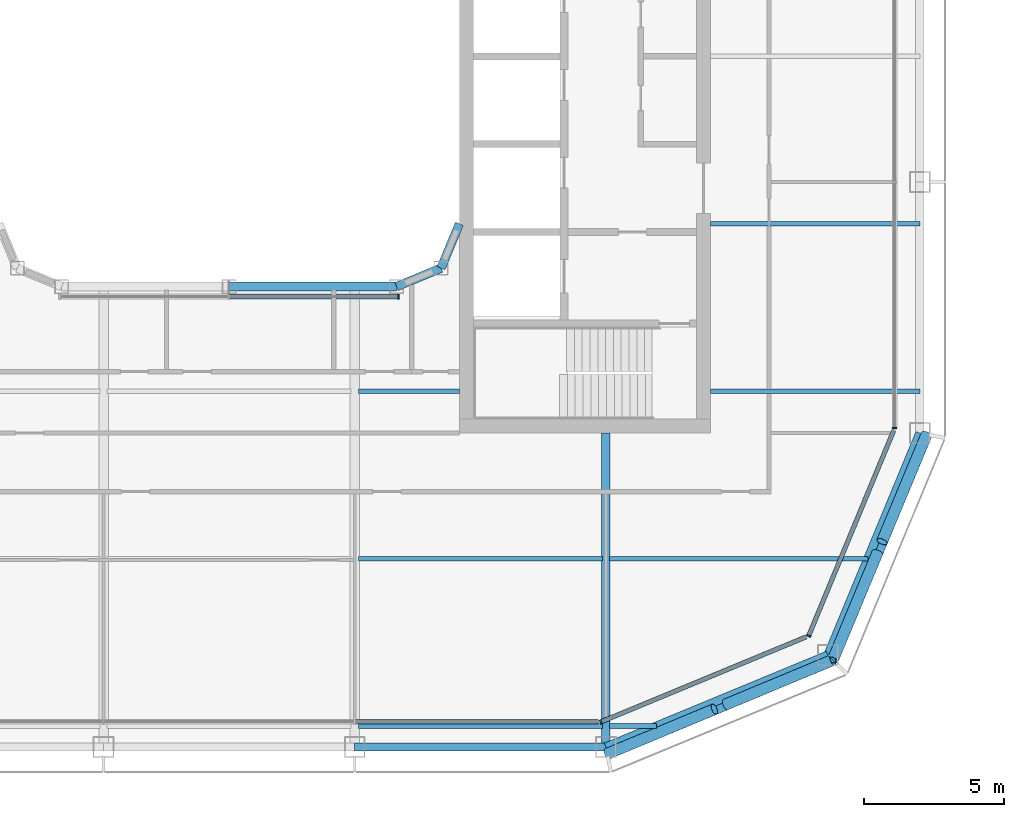
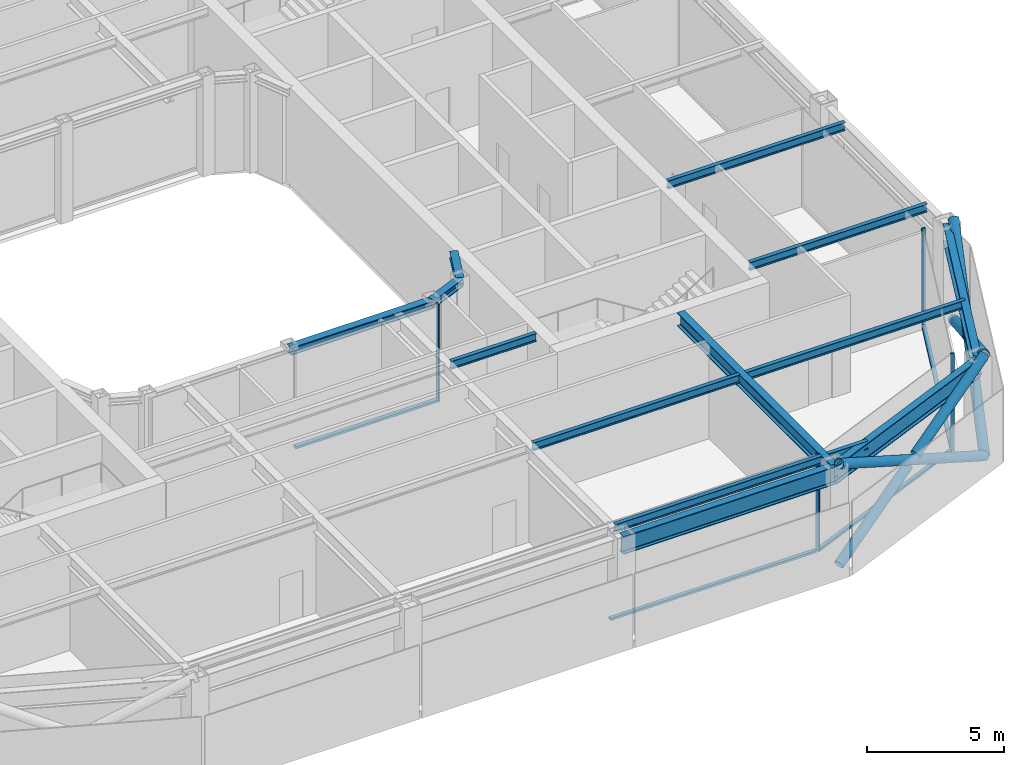
# One storey, part 4 of 20: 14 beams, 14 members, 5 elements without a shape of their own.
"""IFC4 building model written with IfcOpenShell, lengths in metres."""

from ifc_helpers import new_model, si_unit, direction, frame, origin, origin_2d, place, context, subcontext, project, spatial, rectangle, hollow_circle, i_section, extrude, material, layer, layer_set, material_profile, profile_set, type_object, element, aggregate, save


model = new_model("IFC4")

# Units and contexts
model_context = context("Model", 3, precision=1e-05, world=origin(), true_north=direction((0.0, 1.0)))
body_context = subcontext(model_context, "Body", "Model", "MODEL_VIEW")
ifc_project = project(units=[si_unit("LENGTHUNIT", "METRE"), si_unit("AREAUNIT", "SQUARE_METRE"), si_unit("VOLUMEUNIT", "CUBIC_METRE"), si_unit("PLANEANGLEUNIT", "RADIAN"), si_unit("MASSUNIT", "GRAM", prefix="KILO")], contexts=[model_context])

# Site, building, storey
site_placement = place(None, origin())
site = spatial("IfcSite", under=ifc_project, at=site_placement, CompositionType="ELEMENT")
building_placement = place(site_placement, origin())
building = spatial("IfcBuilding", under=site, at=building_placement, Name="Siwar Civic Tower", CompositionType="ELEMENT")
storey_placement = place(building_placement, frame((0.0, 0.0, 307.699951171875)))
storey = spatial("IfcBuildingStorey", under=building, at=storey_placement, Name="L66", CompositionType="ELEMENT", Elevation=307.699951171875)

# Curtain wall, member
ifc_material_1 = material(Name="Aluminium clad insulated panel", Category="aluminium")
ifc_layer_1 = layer(ifc_material_1, 0.159912109375)
ifc_layer_set_1 = layer_set([ifc_layer_1], Name="Aluminium clad insulated panel")
curtain_wall_type_1 = type_object("IfcCurtainWallType", Name="ENV-CW-DX", PredefinedType="NOTDEFINED", material=ifc_layer_set_1)
curtain_wall_1_placement = place(storey_placement, origin())
curtain_wall_1 = element("IfcCurtainWall", 1, at=curtain_wall_1_placement, inside=storey, type_object=curtain_wall_type_1, Name="Curtain wall D SE1", PredefinedType="NOTDEFINED")
ifc_material_2 = material(Name="Aluminium 6063-T6", Category="aluminium")
ifc_material_profile_1 = material_profile(ifc_material_2, rectangle(XDim=0.159912109375, YDim=0.06005859375, at=origin_2d()), Name="AL 160x60")
ifc_profile_set_1 = profile_set([ifc_material_profile_1], Name="Aluminium 6063-T6")
member_type_1 = type_object("IfcMemberType", Name="ENV-MULLION-D", PredefinedType="MULLION", material=ifc_profile_set_1)
member_1_placement = place(storey_placement, frame((13.321044921875, -23.85009765625, 0.0), z_axis=(0.0, 0.0, 1.0), x_axis=(-0.382683432365, 0.923879532511, 0.0)))
member_1 = element("IfcMember", 2, at=member_1_placement, type_object=member_type_1, Name="Mullion D SE1 1", PredefinedType="MULLION", context=body_context, shape_type="SweptSolid", body=[
    extrude(rectangle(XDim=0.159912109375, YDim=0.06005859375, at=origin_2d()), origin(), (0.0, 0.0, 1.0), 4.35009765625),
])

curtain_wall_2_placement = place(storey_placement, origin())
curtain_wall_2 = element("IfcCurtainWall", 3, at=curtain_wall_2_placement, inside=storey, type_object=curtain_wall_type_1, Name="Curtain wall D SE2", PredefinedType="NOTDEFINED")
member_2_placement = place(storey_placement, frame((20.76611328125, -20.76611328125, 0.0), z_axis=(0.0, 0.0, 1.0), x_axis=(-0.923879532511, 0.382683432365, 0.0)))
member_2 = element("IfcMember", 4, at=member_2_placement, type_object=member_type_1, Name="Mullion D SE2 1", PredefinedType="MULLION", context=body_context, shape_type="SweptSolid", body=[
    extrude(rectangle(XDim=0.159912109375, YDim=0.06005859375, at=origin_2d()), origin(), (0.0, 0.0, 1.0), 4.35009765625),
])

ifc_material_3 = material(Name="Aluminium and glass", Category="aluminium")
ifc_layer_2 = layer(ifc_material_3, 0.159912109375)
ifc_layer_set_2 = layer_set([ifc_layer_2], Name="Aluminium and glass")
curtain_wall_type_2 = type_object("IfcCurtainWallType", Name="ENV-CW-D", PredefinedType="NOTDEFINED", material=ifc_layer_set_2)
curtain_wall_3_placement = place(storey_placement, origin())
curtain_wall_3 = element("IfcCurtainWall", 5, at=curtain_wall_3_placement, inside=storey, type_object=curtain_wall_type_2, Name="Curtain wall D E", PredefinedType="NOTDEFINED")
member_3_placement = place(storey_placement, frame((23.85009765625, -13.321044921875, 0.0), z_axis=(0.0, 0.0, 1.0), x_axis=(-1.0, 0.0, 0.0)))
member_3 = element("IfcMember", 6, at=member_3_placement, type_object=member_type_1, Name="Mullion D E 1", PredefinedType="MULLION", context=body_context, shape_type="SweptSolid", body=[
    extrude(rectangle(XDim=0.159912109375, YDim=0.06005859375, at=origin_2d()), origin(), (0.0, 0.0, 1.0), 4.35009765625),
])
aggregate(curtain_wall_3, [member_3])

ifc_material_4 = material(Name="Aluminium and glass", Category="aluminium")
ifc_layer_3 = layer(ifc_material_4, 0.179931640625)
ifc_layer_set_3 = layer_set([ifc_layer_3], Name="Aluminium and glass")
curtain_wall_type_3 = type_object("IfcCurtainWallType", Name="ENV-CW-W", PredefinedType="NOTDEFINED", material=ifc_layer_set_3)
curtain_wall_4_placement = place(storey_placement, origin())
curtain_wall_4 = element("IfcCurtainWall", 7, at=curtain_wall_4_placement, inside=storey, type_object=curtain_wall_type_3, Name="Curtain wall W WS", PredefinedType="NOTDEFINED")
ifc_material_5 = material(Name="Aluminium 6063-T6", Category="aluminium")
ifc_material_profile_2 = material_profile(ifc_material_5, rectangle(XDim=0.179931640625, YDim=0.06005859375, at=origin_2d()), Name="AL 180x60")
ifc_profile_set_2 = profile_set([ifc_material_profile_2], Name="Aluminium 6063-T6")
member_type_2 = type_object("IfcMemberType", Name="ENV-MULLION-W", PredefinedType="MULLION", material=ifc_profile_set_2)
member_4_placement = place(storey_placement, frame((6.071533203125, -8.610107421875, 0.0), z_axis=(0.0, 0.0, 1.0), x_axis=(0.0, 1.0, 0.0)))
member_4 = element("IfcMember", 8, at=member_4_placement, type_object=member_type_2, Name="Mullion W WS 3", PredefinedType="MULLION", context=body_context, shape_type="SweptSolid", body=[
    extrude(rectangle(XDim=0.179931640625, YDim=0.06005859375, at=origin_2d()), origin(), (0.0, 0.0, 1.0), 4.35009765625),
])

curtain_wall_5_placement = place(storey_placement, origin())
curtain_wall_5 = element("IfcCurtainWall", 9, at=curtain_wall_5_placement, inside=storey, type_object=curtain_wall_type_2, Name="Curtain wall D S", PredefinedType="NOTDEFINED")
ifc_material_6 = material(Name="Aluminium 6063-T6", Category="aluminium")
ifc_material_profile_3 = material_profile(ifc_material_6, rectangle(XDim=0.159912109375, YDim=0.10009765625, at=origin_2d()), Name="AL 160x100")
ifc_profile_set_3 = profile_set([ifc_material_profile_3], Name="Aluminium 6063-T6")
member_type_3 = type_object("IfcMemberType", Name="ENV-TRANSOM-D", PredefinedType="USERDEFINED", material=ifc_profile_set_3)
member_5_placement = place(storey_placement, frame((4.530029296875, -23.85009765625, 0.050048828125), z_axis=(1.0, 0.0, 0.0), x_axis=(0.0, 1.0, 0.0)))
member_5 = element("IfcMember", 10, at=member_5_placement, type_object=member_type_3, Name="Transom D S 3", ObjectType="TRANSOM", PredefinedType="USERDEFINED", context=body_context, shape_type="SweptSolid", body=[
    extrude(rectangle(XDim=0.159912109375, YDim=0.10009765625, at=origin_2d()), origin(), (0.0, 0.0, 1.0), 8.693115234375),
])
aggregate(curtain_wall_5, [member_5])

# Member
member_6_placement = place(storey_placement, frame((13.3486328125, -23.838623046875, 0.050048828125), z_axis=(0.923872756612, 0.382699790424, 0.0), x_axis=(-0.382699790424, 0.923872756612, 0.0)))
member_6 = element("IfcMember", 11, at=member_6_placement, type_object=member_type_3, Name="Transom D SE1 1", ObjectType="TRANSOM", PredefinedType="USERDEFINED", context=body_context, shape_type="SweptSolid", body=[
    extrude(rectangle(XDim=0.159912109375, YDim=0.10009765625, at=origin_2d()), origin(), (0.0, 0.0, 1.0), 7.930908203125),
])

aggregate(curtain_wall_1, [member_1, member_6])

member_7_placement = place(storey_placement, frame((20.777587890625, -20.738525390625, 0.050048828125), z_axis=(0.382673515031, 0.923883640343, 0.0), x_axis=(-0.923883640343, 0.382673515031, 0.0)))
member_7 = element("IfcMember", 12, at=member_7_placement, type_object=member_type_3, Name="Transom D SE2 1", ObjectType="TRANSOM", PredefinedType="USERDEFINED", context=body_context, shape_type="SweptSolid", body=[
    extrude(rectangle(XDim=0.159912109375, YDim=0.10009765625, at=origin_2d()), origin(), (0.0, 0.0, 1.0), 7.930908203125),
])

aggregate(curtain_wall_2, [member_2, member_7])

ifc_material_7 = material(Name="Aluminium 6063-T6", Category="aluminium")
ifc_material_profile_4 = material_profile(ifc_material_7, rectangle(XDim=0.179931640625, YDim=0.10009765625, at=origin_2d()), Name="AL 180x100")
ifc_profile_set_4 = profile_set([ifc_material_profile_4], Name="Aluminium 6063-T6")
member_type_4 = type_object("IfcMemberType", Name="ENV-TRANSOM-W", PredefinedType="USERDEFINED", material=ifc_profile_set_4)
member_8_placement = place(storey_placement, frame((0.030029296875, -8.610107421875, 0.050048828125), z_axis=(1.0, 0.0, 0.0), x_axis=(0.0, 1.0, 0.0)))
member_8 = element("IfcMember", 13, at=member_8_placement, type_object=member_type_4, Name="Transom W WS 2", ObjectType="TRANSOM", PredefinedType="USERDEFINED", context=body_context, shape_type="SweptSolid", body=[
    extrude(rectangle(XDim=0.179931640625, YDim=0.10009765625, at=origin_2d()), origin(), (0.0, 0.0, 1.0), 6.011474609375),
])

aggregate(curtain_wall_4, [member_4, member_8])

# Members
ifc_material_8 = material(Name="Steel S355", Category="steel")
ifc_material_profile_5 = material_profile(ifc_material_8, hollow_circle(Radius=0.203125, WallThickness=0.01611328125, at=origin_2d()), Name="CHS406.4x16")
ifc_profile_set_5 = profile_set([ifc_material_profile_5], Name="Steel S355")
member_type_5 = type_object("IfcMemberType", Name="STR-BR-CHS406.4x16", PredefinedType="BRACE", material=ifc_profile_set_5)
member_9_placement = place(storey_placement, frame((21.6318359375, -21.6318359375, 0.0), z_axis=(0.341671493852, 0.821142553604, 0.457149315816), x_axis=(-0.923264922524, 0.384163874976, 0.0)))
element("IfcMember", 14, at=member_9_placement, inside=storey, type_object=member_type_5, Name="L66/brc/DSE1-5-0-1", PredefinedType="BRACE", context=body_context, shape_type="SweptSolid", body=[
    extrude(hollow_circle(Radius=0.203125, WallThickness=0.01611328125, at=origin_2d()), origin(), (0.0, 0.0, 1.0), 9.843505859375),
])
for number, where, z_axis, x_axis, name in (
    (15, (24.9951171875, -13.548828125, 0.0), (-0.341659024948, -0.821130093572, 0.45718101459), (0.923267827529, -0.384156893273, 0.0), "L66/brc/DSE1-5-0-2"),
    (16, (23.229736328125, -17.791259765625, 2.362060546875), (-0.341652533125, -0.821166691915, 0.457120127208), (0.923276488787, -0.38413607648, 0.0), "L66/brc/DSE1-5-0-3"),
):
    element("IfcMember", number, at=place(storey_placement, frame(where, z_axis=z_axis, x_axis=x_axis)), inside=storey, type_object=member_type_5, Name=name, PredefinedType="BRACE", context=body_context, shape_type="SweptSolid", body=[
        extrude(hollow_circle(Radius=0.203125, WallThickness=0.01611328125, at=origin_2d()), origin(), (0.0, 0.0, 1.0), 4.677001953125),
    ])
member_10_placement = place(storey_placement, frame((21.6318359375, -21.6318359375, 0.0), z_axis=(-0.821142553604, -0.341671493852, 0.457149315816), x_axis=(0.384163874976, -0.923264922524, 0.0)))
element("IfcMember", 17, at=member_10_placement, inside=storey, type_object=member_type_5, Name="L66/brc/DSE1-5-0-0", PredefinedType="BRACE", context=body_context, shape_type="SweptSolid", body=[
    extrude(hollow_circle(Radius=0.203125, WallThickness=0.01611328125, at=origin_2d()), origin(), (0.0, 0.0, 1.0), 9.843505859375),
])
for number, where, z_axis, x_axis, name in (
    (18, (13.548828125, -24.9951171875, 0.0), (0.821130093572, 0.341659024948, 0.45718101459), (-0.384156893273, 0.923267827529, 0.0), "L66/brc/DSE1-5-0-4"),
    (19, (17.791259765625, -23.229736328125, 2.362060546875), (0.821166691915, 0.341652533125, 0.457120127208), (-0.38413607648, 0.923276488787, 0.0), "L66/brc/DSE1-5-0-5"),
):
    element("IfcMember", number, at=place(storey_placement, frame(where, z_axis=z_axis, x_axis=x_axis)), inside=storey, type_object=member_type_5, Name=name, PredefinedType="BRACE", context=body_context, shape_type="SweptSolid", body=[
        extrude(hollow_circle(Radius=0.203125, WallThickness=0.01611328125, at=origin_2d()), origin(), (0.0, 0.0, 1.0), 4.677001953125),
    ])

# Beams
ifc_material_9 = material(Name="Steel S355", Category="steel")
ifc_material_profile_6 = material_profile(ifc_material_9, i_section(OverallWidth=0.169921875, OverallDepth=0.360107421875, WebThickness=0.008056640625, FlangeThickness=0.0126953125, FilletRadius=0.01806640625, at=origin_2d()), Name="IPE360")
ifc_profile_set_6 = profile_set([ifc_material_profile_6], Name="Steel S355")
beam_type_1 = type_object("IfcBeamType", Name="STR-FB-IPE360", PredefinedType="JOIST", material=ifc_profile_set_6)
beam_1_placement = place(storey_placement, frame((4.6298828125, -24.0, 4.170166015625), z_axis=(1.0, 0.0, 0.0), x_axis=(0.0, 1.0, 0.0)))
element("IfcBeam", 20, at=beam_1_placement, inside=storey, type_object=beam_type_1, Name="L66/bm/F004", PredefinedType="JOIST", context=body_context, shape_type="SweptSolid", body=[
    extrude(i_section(OverallWidth=0.169921875, OverallDepth=0.360107421875, WebThickness=0.008056640625, FlangeThickness=0.0126953125, FilletRadius=0.01806640625, at=origin_2d()), origin(), (0.0, 0.0, 1.0), 8.740234375),
])
beam_2_placement = place(storey_placement, frame((13.6298828125, -24.0, 4.170166015625), z_axis=(1.0, 0.0, 0.0), x_axis=(0.0, 1.0, 0.0)))
element("IfcBeam", 21, at=beam_2_placement, inside=storey, type_object=beam_type_1, Name="L66/bm/F005", PredefinedType="JOIST", context=body_context, shape_type="SweptSolid", body=[
    extrude(i_section(OverallWidth=0.169921875, OverallDepth=0.360107421875, WebThickness=0.008056640625, FlangeThickness=0.0126953125, FilletRadius=0.01806640625, at=origin_2d()), origin(), (0.0, 0.0, 1.0), 1.6806640625),
])
beam_3_placement = place(storey_placement, frame((4.6298828125, -18.0, 4.170166015625), z_axis=(1.0, 0.0, 0.0), x_axis=(0.0, 1.0, 0.0)))
element("IfcBeam", 22, at=beam_3_placement, inside=storey, type_object=beam_type_1, Name="L66/bm/F009", PredefinedType="JOIST", context=body_context, shape_type="SweptSolid", body=[
    extrude(i_section(OverallWidth=0.169921875, OverallDepth=0.360107421875, WebThickness=0.008056640625, FlangeThickness=0.0126953125, FilletRadius=0.01806640625, at=origin_2d()), origin(), (0.0, 0.0, 1.0), 8.740234375),
])
beam_4_placement = place(storey_placement, frame((13.6298828125, -18.0, 4.170166015625), z_axis=(1.0, 0.0, 0.0), x_axis=(0.0, 1.0, 0.0)))
element("IfcBeam", 23, at=beam_4_placement, inside=storey, type_object=beam_type_1, Name="L66/bm/F010", PredefinedType="JOIST", context=body_context, shape_type="SweptSolid", body=[
    extrude(i_section(OverallWidth=0.169921875, OverallDepth=0.360107421875, WebThickness=0.008056640625, FlangeThickness=0.0126953125, FilletRadius=0.01806640625, at=origin_2d()), origin(), (0.0, 0.0, 1.0), 9.256103515625),
])
beam_5_placement = place(storey_placement, frame((4.6298828125, -12.0, 4.170166015625), z_axis=(1.0, 0.0, 0.0), x_axis=(0.0, 1.0, 0.0)))
element("IfcBeam", 24, at=beam_5_placement, inside=storey, type_object=beam_type_1, Name="L66/bm/F014", PredefinedType="JOIST", context=body_context, shape_type="SweptSolid", body=[
    extrude(i_section(OverallWidth=0.169921875, OverallDepth=0.360107421875, WebThickness=0.008056640625, FlangeThickness=0.0126953125, FilletRadius=0.01806640625, at=origin_2d()), origin(), (0.0, 0.0, 1.0), 3.6201171875),
])
for number, where, z_axis, x_axis, name in (
    (25, (17.25, -12.0, 4.170166015625), (1.0, 0.0, 0.0), (0.0, 1.0, 0.0), "L66/bm/F015"),
    (26, (17.25, -6.0, 4.170166015625), (1.0, 0.0, 0.0), (0.0, 1.0, 0.0), "L66/bm/F017"),
):
    element("IfcBeam", number, at=place(storey_placement, frame(where, z_axis=z_axis, x_axis=x_axis)), inside=storey, type_object=beam_type_1, Name=name, PredefinedType="JOIST", context=body_context, shape_type="SweptSolid", body=[
        extrude(i_section(OverallWidth=0.169921875, OverallDepth=0.360107421875, WebThickness=0.008056640625, FlangeThickness=0.0126953125, FilletRadius=0.01806640625, at=origin_2d()), origin(), (0.0, 0.0, 1.0), 7.5),
    ])
ifc_material_10 = material(Name="Steel S355", Category="steel")
ifc_material_profile_7 = material_profile(ifc_material_10, i_section(OverallWidth=0.300048828125, OverallDepth=0.60009765625, WebThickness=0.015380859375, FlangeThickness=0.030029296875, FilletRadius=0.027099609375, at=origin_2d()), Name="HEB600")
ifc_profile_set_7 = profile_set([ifc_material_profile_7], Name="Steel S355")
beam_type_2 = type_object("IfcBeamType", Name="STR-PG-HEB600", PredefinedType="BEAM", material=ifc_profile_set_7)
beam_6_placement = place(storey_placement, frame((13.5, -24.75, 4.050048828125), z_axis=(0.0, 1.0, 0.0), x_axis=(-1.0, 0.0, 0.0)))
element("IfcBeam", 27, at=beam_6_placement, inside=storey, type_object=beam_type_2, Name="L66/bm/G07", PredefinedType="BEAM", context=body_context, shape_type="SweptSolid", body=[
    extrude(i_section(OverallWidth=0.300048828125, OverallDepth=0.60009765625, WebThickness=0.015380859375, FlangeThickness=0.030029296875, FilletRadius=0.027099609375, at=origin_2d()), origin(), (0.0, 0.0, 1.0), 11.25),
])
ifc_material_11 = material(Name="Steel S355", Category="steel")
ifc_material_profile_8 = material_profile(ifc_material_11, i_section(OverallWidth=0.31005859375, OverallDepth=0.340087890625, WebThickness=0.02099609375, FlangeThickness=0.0390625, FilletRadius=0.027099609375, at=origin_2d()), Name="HEM300")
ifc_profile_set_8 = profile_set([ifc_material_profile_8], Name="Steel S355")
beam_type_3 = type_object("IfcBeamType", Name="STR-RB-HEM300", PredefinedType="BEAM", material=ifc_profile_set_8)
beam_7_placement = place(storey_placement, frame((0.0, -8.25, 4.179931640625), z_axis=(1.0, 0.0, 0.0), x_axis=(0.0, 1.0, 0.0)))
element("IfcBeam", 28, at=beam_7_placement, inside=storey, type_object=beam_type_3, Name="L66/bm/RS2", PredefinedType="BEAM", context=body_context, shape_type="SweptSolid", body=[
    extrude(i_section(OverallWidth=0.31005859375, OverallDepth=0.340087890625, WebThickness=0.02099609375, FlangeThickness=0.0390625, FilletRadius=0.027099609375, at=origin_2d()), origin(), (0.0, 0.0, 1.0), 6.0),
])
for number, where, z_axis, x_axis, name in (
    (29, (6.0, -8.25, 4.179931640625), (0.923901072997, 0.382631424892, 0.0), (-0.382631424892, 0.923901072997, 0.0), "L66/bm/RS3"),
    (30, (7.591064453125, -7.591064453125, 4.179931640625), (0.382631424892, 0.923901072997, 0.0), (-0.923901072997, 0.382631424892, 0.0), "L66/bm/RSEE"),
):
    element("IfcBeam", number, at=place(storey_placement, frame(where, z_axis=z_axis, x_axis=x_axis)), inside=storey, type_object=beam_type_3, Name=name, PredefinedType="BEAM", context=body_context, shape_type="SweptSolid", body=[
        extrude(i_section(OverallWidth=0.31005859375, OverallDepth=0.340087890625, WebThickness=0.02099609375, FlangeThickness=0.0390625, FilletRadius=0.027099609375, at=origin_2d()), origin(), (0.0, 0.0, 1.0), 1.72216796875),
    ])
ifc_material_12 = material(Name="Steel S355", Category="steel")
ifc_material_profile_9 = material_profile(ifc_material_12, i_section(OverallWidth=0.300048828125, OverallDepth=0.800048828125, WebThickness=0.017578125, FlangeThickness=0.032958984375, FilletRadius=0.030029296875, at=origin_2d()), Name="HEB800")
ifc_profile_set_9 = profile_set([ifc_material_profile_9], Name="Steel S355")
beam_type_4 = type_object("IfcBeamType", Name="STR-SB-HEB800", PredefinedType="BEAM", material=ifc_profile_set_9)
beam_8_placement = place(storey_placement, frame((4.5, -24.75, 3.949951171875), z_axis=(1.0, 0.0, 0.0), x_axis=(0.0, 1.0, 0.0)))
element("IfcBeam", 31, at=beam_8_placement, inside=storey, type_object=beam_type_4, Name="L66/bm/SS-2", PredefinedType="BEAM", context=body_context, shape_type="SweptSolid", body=[
    extrude(i_section(OverallWidth=0.300048828125, OverallDepth=0.800048828125, WebThickness=0.017578125, FlangeThickness=0.032958984375, FilletRadius=0.030029296875, at=origin_2d()), origin(), (0.0, 0.0, 1.0), 9.0),
])
for number, where, z_axis, x_axis, name in (
    (32, (13.5, -24.75, 3.949951171875), (0.923872720536, 0.382699877515, 0.0), (-0.382699877515, 0.923872720536, 0.0), "L66/bm/SSE1-0"),
    (33, (21.454833984375, -21.454833984375, 3.949951171875), (0.382699877515, 0.923872720536, 0.0), (-0.923872720536, 0.382699877515, 0.0), "L66/bm/SSE2-0"),
):
    element("IfcBeam", number, at=place(storey_placement, frame(where, z_axis=z_axis, x_axis=x_axis)), inside=storey, type_object=beam_type_4, Name=name, PredefinedType="BEAM", context=body_context, shape_type="SweptSolid", body=[
        extrude(i_section(OverallWidth=0.300048828125, OverallDepth=0.800048828125, WebThickness=0.017578125, FlangeThickness=0.032958984375, FilletRadius=0.030029296875, at=origin_2d()), origin(), (0.0, 0.0, 1.0), 8.6103515625),
    ])

save(model, "model.ifc")
